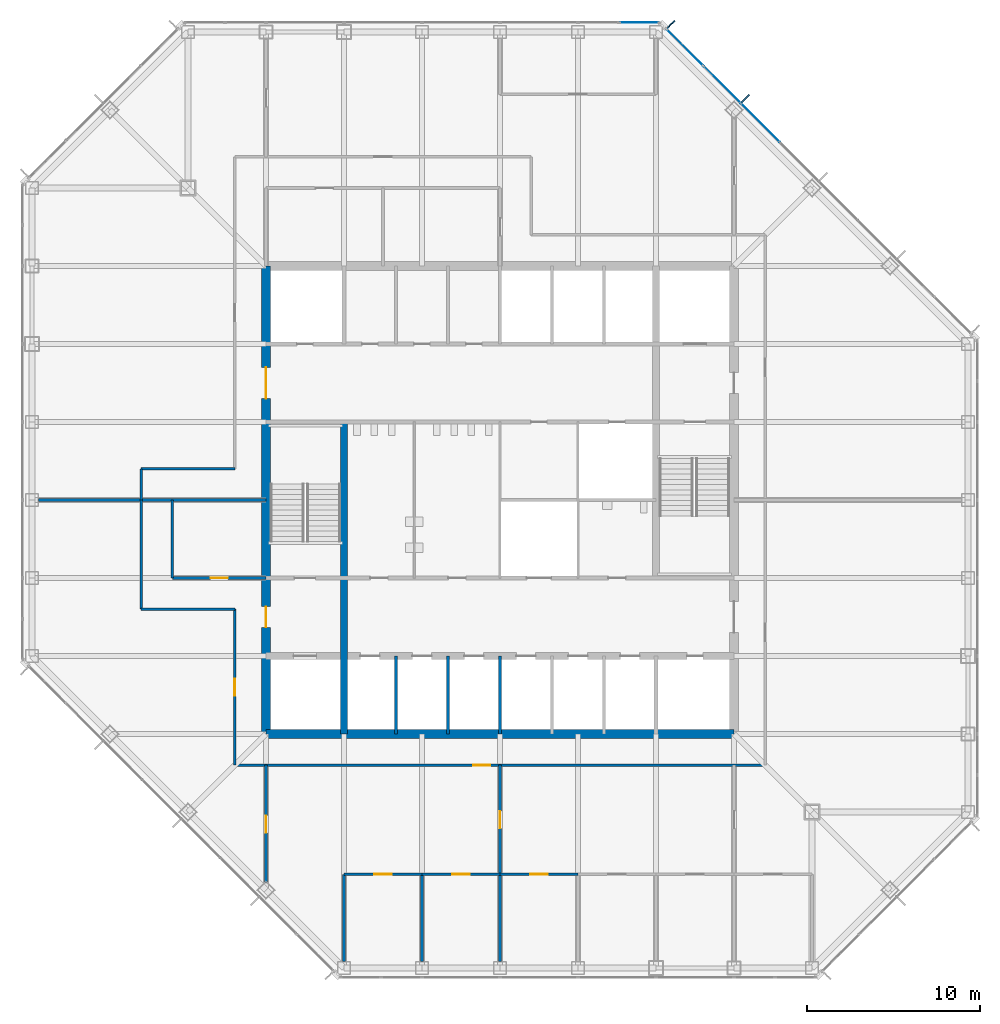
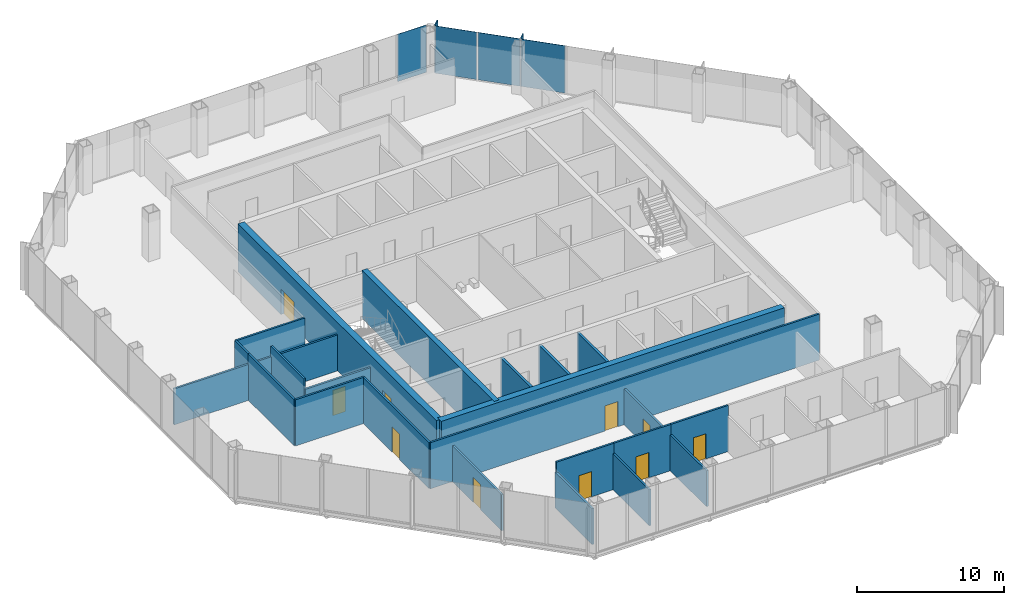
# One storey, part 8 of 12: 23 walls, 10 doors, 6 plates, 10 openings, 2 elements without a shape of their own.
"""IFC4 building model written with IfcOpenShell, lengths in metres."""

import ifcopenshell
import ifcopenshell.guid

model = None  # the IFC model being written
_history = None  # IfcOwnerHistory: only IFC2X3 demands one
_inside = {}  # id of a spatial element -> (the spatial element, [elements in it])
_under = {}  # id of a project, library or spatial element -> (it, [spatial elements below it])
_declared = {}  # id of a project -> (the project, [libraries it declares])
_typed = {}  # id of a type object -> (the type object, [elements of that type])
_made_of = {}  # id of a material, layer set ... -> (it, [elements and type objects made of it])


def new_model(schema):
    """Start an empty IFC model of exactly this schema.

    Asked for "IFC4X3", IfcOpenShell would pick the latest addendum, in which some entities
    have other attributes; the version numbers below select the first issue.
    IFC2X3 requires an IfcOwnerHistory on every rooted entity: one is made here for all.
    """
    global model, _history
    if schema == "IFC4X3":
        model = ifcopenshell.file(schema_version=(4, 3, 0, 0))
    else:
        model = ifcopenshell.file(schema=schema)
    _inside.clear()
    _under.clear()
    _declared.clear()
    _typed.clear()
    _made_of.clear()
    _history = None
    if model.schema == "IFC2X3":
        org = make("IfcOrganization", Name="unknown")
        user = make(
            "IfcPersonAndOrganization",
            ThePerson=make("IfcPerson", FamilyName="unknown"),
            TheOrganization=org,
        )
        app = make(
            "IfcApplication",
            ApplicationDeveloper=org,
            Version="unknown",
            ApplicationFullName="unknown",
            ApplicationIdentifier="unknown",
        )
        _history = make(
            "IfcOwnerHistory",
            OwningUser=user,
            OwningApplication=app,
            ChangeAction="ADDED",
            CreationDate=0,
        )
    return model


def make(cls, **values):
    """One entity of the class cls with the attributes given. An attribute that is None is left unset."""
    return model.create_entity(
        cls, **{name: value for name, value in values.items() if value is not None}
    )


def rooted(cls, **values):
    """An entity with a GlobalId (a new one), such as an element, a storey or a relation."""
    return make(cls, GlobalId=ifcopenshell.guid.new(), OwnerHistory=_history, **values)


def si_unit(unit_type, name, prefix=None):
    """IfcSIUnit, for example si_unit("LENGTHUNIT", "METRE", prefix="MILLI")."""
    return make("IfcSIUnit", UnitType=unit_type, Prefix=prefix, Name=name)


def assignment(units):
    """IfcUnitAssignment: the units of a project."""
    return None if units is None else make("IfcUnitAssignment", Units=units)


def point(xyz):
    """IfcCartesianPoint."""
    return None if xyz is None else make("IfcCartesianPoint", Coordinates=xyz)


def direction(xyz):
    """IfcDirection."""
    return None if xyz is None else make("IfcDirection", DirectionRatios=xyz)


def frame(location, z_axis=None, x_axis=None):
    """IfcAxis2Placement3D, a coordinate frame: its origin and axes. An axis left out is left unset."""
    return make(
        "IfcAxis2Placement3D",
        Location=point(location),
        Axis=direction(z_axis),
        RefDirection=direction(x_axis),
    )


def frame_2d(location, x_axis=None):
    """IfcAxis2Placement2D, a coordinate frame in the plane: its origin and x axis."""
    return make(
        "IfcAxis2Placement2D", Location=point(location), RefDirection=direction(x_axis)
    )


def origin():
    """The frame at (0, 0, 0) with its axes left unset."""
    return frame((0.0, 0.0, 0.0))


def origin_2d():
    """The frame at (0, 0) in the plane with its x axis left unset."""
    return frame_2d((0.0, 0.0))


def place(relative_to, where):
    """IfcLocalPlacement: puts the frame where relative to a parent placement (None: the world)."""
    return make(
        "IfcLocalPlacement", PlacementRelTo=relative_to, RelativePlacement=where
    )


def context(
    kind, dimensions, precision=None, world=None, true_north=None, identifier=None
):
    """IfcGeometricRepresentationContext, for example the 3D "Model" context."""
    return make(
        "IfcGeometricRepresentationContext",
        ContextIdentifier=identifier,
        ContextType=kind,
        CoordinateSpaceDimension=dimensions,
        Precision=precision,
        WorldCoordinateSystem=world,
        TrueNorth=true_north,
    )


def subcontext(parent, identifier, kind, view, scale=None):
    """IfcGeometricRepresentationSubContext, for example "Body" below "Model"."""
    return make(
        "IfcGeometricRepresentationSubContext",
        ContextIdentifier=identifier,
        ContextType=kind,
        ParentContext=parent,
        TargetScale=scale,
        TargetView=view,
    )


def project(units=None, contexts=None):
    """IfcProject with its units and contexts."""
    return rooted(
        "IfcProject",
        Name="project",
        RepresentationContexts=contexts,
        UnitsInContext=assignment(units),
    )


def spatial(cls, under=None, at=None, **own):
    """A site, building, storey or space (cls), placed at a placement, below another one or the project."""
    s = rooted(cls, ObjectPlacement=at, **own)
    if under is not None:
        _under.setdefault(under.id(), (under, []))[1].append(s)
    return s


def profile(cls, at=None, kind="AREA", **sizes):
    """A parametric profile (cls). Its sizes go by their IFC names, for example OverallWidth=200.0."""
    return make(cls, ProfileType=kind, Position=at, **sizes)


def rectangle(**sizes):
    """IfcRectangleProfileDef."""
    return profile("IfcRectangleProfileDef", **sizes)


def extrude(swept, where, along, depth):
    """IfcExtrudedAreaSolid: the profile swept, set in the frame where, extruded along a direction by depth."""
    return make(
        "IfcExtrudedAreaSolid",
        SweptArea=swept,
        Position=where,
        ExtrudedDirection=direction(along),
        Depth=depth,
    )


def shape(context_of_items, identifier, shape_type, items):
    """IfcShapeRepresentation: the items that make up one representation, for example the "Body"."""
    return make(
        "IfcShapeRepresentation",
        ContextOfItems=context_of_items,
        RepresentationIdentifier=identifier,
        RepresentationType=shape_type,
        Items=items,
    )


def material(Name=None, Category=None):
    """IfcMaterial."""
    return make("IfcMaterial", Name=Name, Category=Category)


def layer(
    of_material, thickness, ventilated=None, Name=None, Category=None, Priority=None
):
    """IfcMaterialLayer: one layer of a wall or slab, of a material (None: an air gap)."""
    return make(
        "IfcMaterialLayer",
        Material=of_material,
        LayerThickness=thickness,
        IsVentilated=ventilated,
        Name=Name,
        Category=Category,
        Priority=Priority,
    )


def layer_set(layers, Name=None):
    """IfcMaterialLayerSet."""
    return make("IfcMaterialLayerSet", MaterialLayers=layers, LayerSetName=Name)


def made_of(thing, what):
    """Note that an element or type object is made of a material, layer set ...; save() writes the relation."""
    if what is not None:
        _made_of.setdefault(what.id(), (what, []))[1].append(thing)
    return thing


def type_object(cls, material=None, **own):
    """A type object (cls), such as IfcWallType, which elements share."""
    return made_of(rooted(cls, **own), material)


def element(
    cls,
    number,
    at=None,
    inside=None,
    cuts=None,
    type_object=None,
    material=None,
    context=None,
    identifier="Body",
    shape_type=None,
    held_by="IfcProductDefinitionShape",
    body=None,
    shapes=None,
    **own,
):
    """One element of the class cls, such as IfcWall. Its Tag is "e" and its number.

    at: its placement. inside: the storey or other place that contains it. cuts: it is an
    opening in that element (IfcRelVoidsElement). A single representation is given by context,
    identifier, shape_type and body (its items); several are given by shapes. held_by: the class
    of the entity that holds the representations. save() writes the other relations.
    """
    e = rooted(cls, Tag="e%d" % number, ObjectPlacement=at, **own)
    if body is not None:
        shapes = [shape(context, identifier, shape_type, body)]
    if shapes is not None:
        e.Representation = make(held_by, Representations=shapes)
    if inside is not None:
        _inside.setdefault(inside.id(), (inside, []))[1].append(e)
    if cuts is not None:
        rooted(
            "IfcRelVoidsElement", RelatingBuildingElement=cuts, RelatedOpeningElement=e
        )
    if type_object is not None:
        _typed.setdefault(type_object.id(), (type_object, []))[1].append(e)
    return made_of(e, material)


def fill(opening, filler):
    """IfcRelFillsElement: the door or window that sits in an opening."""
    return rooted(
        "IfcRelFillsElement",
        RelatingOpeningElement=opening,
        RelatedBuildingElement=filler,
    )


def aggregate(whole, parts):
    """IfcRelAggregates: a whole, such as a stair, and the parts it consists of."""
    return rooted("IfcRelAggregates", RelatingObject=whole, RelatedObjects=parts)


def save(model, path):
    """Write the relations noted so far, then the file.

    IfcRelAggregates (storeys below a building ...), IfcRelContainedInSpatialStructure (elements
    in a storey), IfcRelDefinesByType, IfcRelAssociatesMaterial and IfcRelDeclares: one each for
    every whole, place, type object, material and project.
    """
    for whole, parts in _under.values():
        aggregate(whole, parts)
    for where, things in _inside.values():
        rooted(
            "IfcRelContainedInSpatialStructure",
            RelatedElements=things,
            RelatingStructure=where,
        )
    for kind, things in _typed.values():
        rooted("IfcRelDefinesByType", RelatedObjects=things, RelatingType=kind)
    for what, things in _made_of.values():
        rooted("IfcRelAssociatesMaterial", RelatedObjects=things, RelatingMaterial=what)
    for by, libraries in _declared.values():
        rooted("IfcRelDeclares", RelatingContext=by, RelatedDefinitions=libraries)
    model.write(path)


model = new_model("IFC4")

# Units and contexts
model_context = context("Model", 3, precision=1e-05, world=origin(), true_north=direction((0.0, 1.0)))
body_context = subcontext(model_context, "Body", "Model", "MODEL_VIEW")
ifc_project = project(units=[si_unit("LENGTHUNIT", "METRE"), si_unit("AREAUNIT", "SQUARE_METRE"), si_unit("VOLUMEUNIT", "CUBIC_METRE"), si_unit("PLANEANGLEUNIT", "RADIAN"), si_unit("MASSUNIT", "GRAM", prefix="KILO")], contexts=[model_context])

# Site, building, storey
site_placement = place(None, origin())
site = spatial("IfcSite", under=ifc_project, at=site_placement, CompositionType="ELEMENT")
building_placement = place(site_placement, origin())
building = spatial("IfcBuilding", under=site, at=building_placement, Name="Corais Broadcast Tower", CompositionType="ELEMENT")
storey_placement = place(building_placement, frame((0.0, 0.0, 143.60009765625)))
storey = spatial("IfcBuildingStorey", under=building, at=storey_placement, Name="L32", CompositionType="ELEMENT", Elevation=143.60009765625)

# Curtain wall, plates
ifc_material_1 = material(Name="Aluminium and glass", Category="aluminium")
curtain_wall_type = type_object("IfcCurtainWallType", Name="Unitised fritted curtain wall CW2", PredefinedType="NOTDEFINED", material=ifc_material_1)
curtain_wall_1_placement = place(storey_placement, origin())
curtain_wall_1 = element("IfcCurtainWall", 1, at=curtain_wall_1_placement, inside=storey, type_object=curtain_wall_type, Name="CW2 curtain wall L32 5", PredefinedType="NOTDEFINED")
ifc_material_2 = material(Name="Ceramic-fritted laminated glass", Category="glass")
ifc_layer_1 = layer(ifc_material_2, 0.028076171875)
ifc_layer_set_1 = layer_set([ifc_layer_1], Name="Ceramic-fritted laminated glass")
plate_type_1 = type_object("IfcPlateType", Name="Fritted glass panel CW2", PredefinedType="CURTAIN_PANEL", material=ifc_layer_set_1)
plate_1_placement = place(storey_placement, frame((37.669677734375, 53.108154296875, 0.06494140625), z_axis=(0.0, 0.0, 1.0), x_axis=(0.707106781187, -0.707106781187, 0.0)))
plate_1 = element("IfcPlate", 2, at=plate_1_placement, type_object=plate_type_1, Name="CW2 panel 1", PredefinedType="CURTAIN_PANEL", context=body_context, shape_type="SweptSolid", body=[
    extrude(rectangle(XDim=2.9482421875, YDim=0.028076171875, at=origin_2d()), origin(), (0.0, 0.0, 1.0), 3.93505859375),
])
plate_2_placement = place(storey_placement, frame((42.013916015625, 48.763916015625, 0.06494140625), z_axis=(0.0, 0.0, 1.0), x_axis=(0.707106781187, -0.707106781187, 0.0)))
plate_2 = element("IfcPlate", 3, at=plate_2_placement, type_object=plate_type_1, Name="CW2 panel 3", PredefinedType="CURTAIN_PANEL", context=body_context, shape_type="SweptSolid", body=[
    extrude(rectangle(XDim=3.116943359375, YDim=0.028076171875, at=origin_2d()), origin(), (0.0, 0.0, 1.0), 3.93505859375),
])

# Curtain wall, plate
curtain_wall_2_placement = place(storey_placement, origin())
curtain_wall_2 = element("IfcCurtainWall", 4, at=curtain_wall_2_placement, inside=storey, type_object=curtain_wall_type, Name="CW2 curtain wall L32 4", PredefinedType="NOTDEFINED")
ifc_material_3 = material(Name="Clear laminated glass", Category="glass")
ifc_layer_2 = layer(ifc_material_3, 0.031982421875)
ifc_layer_set_2 = layer_set([ifc_layer_2], Name="Clear laminated glass")
plate_type_2 = type_object("IfcPlateType", Name="Operable glass panel CW2", PredefinedType="CURTAIN_PANEL", material=ifc_layer_set_2)
plate_3_placement = place(storey_placement, frame((35.029541015625, 54.550048828125, 0.06494140625), z_axis=(0.0, 0.0, 1.0), x_axis=(1.0, 0.0, 0.0)))
plate_3 = element("IfcPlate", 5, at=plate_3_placement, type_object=plate_type_2, Name="CW2 operable panel 8", PredefinedType="CURTAIN_PANEL", context=body_context, shape_type="SweptSolid", body=[
    extrude(rectangle(XDim=2.266357421875, YDim=0.031982421875, at=origin_2d()), origin(), (0.0, 0.0, 1.0), 3.93505859375),
])
aggregate(curtain_wall_2, [plate_3])

# Plate
plate_4_placement = place(storey_placement, frame((39.81201171875, 50.9658203125, 0.06494140625), z_axis=(0.0, 0.0, 1.0), x_axis=(0.707106781187, -0.707106781187, 0.0)))
plate_4 = element("IfcPlate", 6, at=plate_4_placement, type_object=plate_type_2, Name="CW2 operable panel 2", PredefinedType="CURTAIN_PANEL", context=body_context, shape_type="SweptSolid", body=[
    extrude(rectangle(XDim=2.98095703125, YDim=0.031982421875, at=origin_2d()), origin(), (0.0, 0.0, 1.0), 3.93505859375),
])

aggregate(curtain_wall_1, [plate_1, plate_4, plate_2])

# Plates
ifc_material_4 = material(Name="Granite stone cladding", Category="masonry")
ifc_layer_3 = layer(ifc_material_4, 0.080078125)
ifc_layer_set_3 = layer_set([ifc_layer_3], Name="Granite stone cladding")
plate_type_3 = type_object("IfcPlateType", Name="Stone screen fin 80x600", PredefinedType="USERDEFINED", material=ifc_layer_set_3)
for number, where, z_axis, x_axis, name in (
    (7, (36.8779296875, 54.447021484375, 0.0), (0.0, 0.0, 1.0), (0.707106781187, -0.707106781187, 0.0), "SF1 stone screen fin L32"),
    (8, (41.16259765625, 50.16259765625, 0.0), (0.0, 0.0, 1.0), (0.707106781187, -0.707106781187, 0.0), "SF1 stone screen fin L32"),
):
    element("IfcPlate", number, at=place(storey_placement, frame(where, z_axis=z_axis, x_axis=x_axis)), inside=storey, type_object=plate_type_3, Name=name, ObjectType="STONE SCREEN FIN", PredefinedType="USERDEFINED", context=body_context, shape_type="SweptSolid", body=[
        extrude(rectangle(XDim=0.080078125, YDim=0.60009765625, at=origin_2d()), origin(), (0.0, 0.0, 1.0), 4.0),
    ])

# Walls
ifc_material_5 = material(Name="Concrete C50/60", Category="concrete")
ifc_layer_4 = layer(ifc_material_5, 0.39990234375)
ifc_layer_set_4 = layer_set([ifc_layer_4], Name="Concrete C50/60")
wall_type_1 = type_object("IfcWallType", Name="Core wall 400", PredefinedType="SHEAR", material=ifc_layer_set_4)
wall_1_placement = place(storey_placement, frame((18.0, 13.5, 0.0), z_axis=(0.0, 0.0, 1.0), x_axis=(0.0, 1.0, 0.0)))
element("IfcWall", 9, at=wall_1_placement, inside=storey, type_object=wall_type_1, Name="CR400 core wall X18A L32", PredefinedType="SHEAR", context=body_context, shape_type="SweptSolid", body=[
    extrude(rectangle(XDim=18.0, YDim=0.39990234375, at=frame_2d((9.0, 0.0))), origin(), (0.0, 0.0, 1.0), 4.0),
])
ifc_material_6 = material(Name="Concrete C50/60", Category="concrete")
ifc_layer_5 = layer(ifc_material_6, 0.5)
ifc_layer_set_5 = layer_set([ifc_layer_5], Name="Concrete C50/60")
wall_type_2 = type_object("IfcWallType", Name="Core wall 500", PredefinedType="SHEAR", material=ifc_layer_set_5)
wall_2_placement = place(storey_placement, frame((13.5, 13.5, 0.0), z_axis=(0.0, 0.0, 1.0), x_axis=(1.0, 0.0, 0.0)))
element("IfcWall", 10, at=wall_2_placement, inside=storey, type_object=wall_type_2, Name="CR500 core wall S L32", PredefinedType="SHEAR", context=body_context, shape_type="SweptSolid", body=[
    extrude(rectangle(XDim=27.0, YDim=0.5, at=frame_2d((13.5, 0.0))), origin(), (0.0, 0.0, 1.0), 4.0),
])

# Wall, openings, doors
wall_3_placement = place(storey_placement, frame((13.5, 40.5, 0.0), z_axis=(0.0, 0.0, 1.0), x_axis=(0.0, -1.0, 0.0)))
wall_3 = element("IfcWall", 11, at=wall_3_placement, inside=storey, type_object=wall_type_2, Name="CR500 core wall W L32", PredefinedType="SHEAR", context=body_context, shape_type="SweptSolid", body=[
    extrude(rectangle(XDim=27.0, YDim=0.5, at=frame_2d((13.5, 0.0))), origin(), (0.0, 0.0, 1.0), 4.0),
])
opening_1_placement = place(wall_3_placement, frame((19.64990234375, 0.0, 0.0)))
opening_1 = element("IfcOpeningElement", 12, at=opening_1_placement, cuts=wall_3, Name="Opening FD1", PredefinedType="OPENING", context=body_context, shape_type="SweptSolid", body=[
    extrude(rectangle(XDim=1.199951171875, YDim=2.10009765625, at=frame_2d((0.60009765625, 1.050048828125))), frame((0.0, 0.260009765625, 0.0), z_axis=(0.0, -1.0, 0.0), x_axis=(1.0, 0.0, 0.0)), (0.0, 0.0, 1.0), 0.52001953125),
])
opening_2_placement = place(wall_3_placement, frame((5.85009765625, 0.0, 0.0)))
opening_2 = element("IfcOpeningElement", 13, at=opening_2_placement, cuts=wall_3, Name="Opening FD2", PredefinedType="OPENING", context=body_context, shape_type="SweptSolid", body=[
    extrude(rectangle(XDim=1.800048828125, YDim=2.10009765625, at=frame_2d((0.89990234375, 1.050048828125))), frame((0.0, 0.260009765625, 0.0), z_axis=(0.0, -1.0, 0.0), x_axis=(1.0, 0.0, 0.0)), (0.0, 0.0, 1.0), 0.52001953125),
])
ifc_material_7 = material(Name="Steel fire door", Category="steel")
door_type_1 = type_object("IfcDoorType", Name="Fire door 1200x2100", OperationType="SINGLE_SWING_LEFT", PredefinedType="DOOR", material=ifc_material_7)
door_1_placement = place(opening_1_placement, origin())
door_1 = element("IfcDoor", 14, at=door_1_placement, inside=storey, type_object=door_type_1, Name="FD1 fire lobby A door L32", OperationType="SINGLE_SWING_RIGHT", OverallHeight=2.10009765625, OverallWidth=1.199951171875, PredefinedType="DOOR", context=body_context, shape_type="SweptSolid", body=[
    extrude(rectangle(XDim=1.199951171875, YDim=2.10009765625, at=frame_2d((0.60009765625, 1.050048828125))), frame((0.0, 0.02490234375, 0.0), z_axis=(0.0, -1.0, 0.0), x_axis=(1.0, 0.0, 0.0)), (0.0, 0.0, 1.0), 0.050048828125),
])
fill(opening_1, door_1)
ifc_material_8 = material(Name="Steel fire door", Category="steel")
door_type_2 = type_object("IfcDoorType", Name="Fire door pair 1800x2100", OperationType="DOUBLE_DOOR_SINGLE_SWING", PredefinedType="DOOR", material=ifc_material_8)
door_2_placement = place(opening_2_placement, origin())
door_2 = element("IfcDoor", 15, at=door_2_placement, inside=storey, type_object=door_type_2, Name="FD2 lift lobby door L32", OperationType="SINGLE_SWING_LEFT", OverallHeight=2.10009765625, OverallWidth=1.800048828125, PredefinedType="DOOR", context=body_context, shape_type="SweptSolid", body=[
    extrude(rectangle(XDim=1.800048828125, YDim=2.10009765625, at=frame_2d((0.89990234375, 1.050048828125))), frame((0.0, 0.02490234375, 0.0), z_axis=(0.0, -1.0, 0.0), x_axis=(1.0, 0.0, 0.0)), (0.0, 0.0, 1.0), 0.050048828125),
])
fill(opening_2, door_2)

# Walls
ifc_material_9 = material(Name="Two layers of fire-rated gypsum board each side on steel studs", Category="steel")
ifc_layer_6 = layer(ifc_material_9, 0.14990234375)
ifc_layer_set_6 = layer_set([ifc_layer_6], Name="Two layers of fire-rated gypsum board each side on steel studs")
wall_type_3 = type_object("IfcWallType", Name="Fire-rated partition 150 EI 60", PredefinedType="PARTITIONING", material=ifc_layer_set_6)
wall_4_placement = place(storey_placement, frame((0.385009765625, 27.0, 0.0), z_axis=(0.0, 0.0, 1.0), x_axis=(1.0, 0.0, 0.0)))
element("IfcWall", 16, at=wall_4_placement, inside=storey, type_object=wall_type_3, Name="IW7 tenancy wall L32", PredefinedType="PARTITIONING", context=body_context, shape_type="SweptSolid", body=[
    extrude(rectangle(XDim=13.114990234375, YDim=0.14990234375, at=frame_2d((6.5576171875, 0.0))), origin(), (0.0, 0.0, 1.0), 2.989013671875),
])
ifc_material_10 = material(Name="Gypsum board on steel studs", Category="steel")
ifc_layer_7 = layer(ifc_material_10, 0.14990234375)
ifc_layer_set_7 = layer_set([ifc_layer_7], Name="Gypsum board on steel studs")
wall_type_4 = type_object("IfcWallType", Name="Partition 150", PredefinedType="PARTITIONING", material=ifc_layer_set_7)
wall_5_placement = place(storey_placement, frame((11.699951171875, 28.800048828125, 0.0), z_axis=(0.0, 0.0, 1.0), x_axis=(-1.0, 0.0, 0.0)))
element("IfcWall", 17, at=wall_5_placement, inside=storey, type_object=wall_type_4, Name="IW3 corridor wall L32", PredefinedType="PARTITIONING", context=body_context, shape_type="SweptSolid", body=[
    extrude(rectangle(XDim=5.39990234375, YDim=0.14990234375, at=frame_2d((2.699951171875, 0.0))), origin(), (0.0, 0.0, 1.0), 3.83984375),
])
wall_6_placement = place(storey_placement, frame((6.300048828125, 28.800048828125, 0.0), z_axis=(0.0, 0.0, 1.0), x_axis=(0.0, -1.0, 0.0)))
element("IfcWall", 18, at=wall_6_placement, inside=storey, type_object=wall_type_4, Name="IW3 corridor wall L32", PredefinedType="PARTITIONING", context=body_context, shape_type="SweptSolid", body=[
    extrude(rectangle(XDim=1.799560546875, YDim=0.14990234375, at=frame_2d((0.89990234375, 0.0))), origin(), (0.0, 0.0, 1.0), 3.83984375),
])

# Wall, opening, door
wall_7_placement = place(storey_placement, frame((11.699951171875, 11.699951171875, 0.0), z_axis=(0.0, 0.0, 1.0), x_axis=(1.0, 0.0, 0.0)))
wall_7 = element("IfcWall", 19, at=wall_7_placement, inside=storey, type_object=wall_type_4, Name="IW3 corridor wall L32", PredefinedType="PARTITIONING", context=body_context, shape_type="SweptSolid", body=[
    extrude(rectangle(XDim=30.60009765625, YDim=0.14990234375, at=frame_2d((15.300048828125, 0.0))), origin(), (0.0, 0.0, 1.0), 3.83984375),
])
opening_3_placement = place(wall_7_placement, frame((13.75, 0.0, 0.0)))
opening_3 = element("IfcOpeningElement", 20, at=opening_3_placement, cuts=wall_7, Name="Opening D1", PredefinedType="OPENING", context=body_context, shape_type="SweptSolid", body=[
    extrude(rectangle(XDim=1.0, YDim=2.10009765625, at=frame_2d((0.5, 1.050048828125))), frame((0.0, 0.0849609375, 0.0), z_axis=(0.0, -1.0, 0.0), x_axis=(1.0, 0.0, 0.0)), (0.0, 0.0, 1.0), 0.169921875),
])
ifc_material_11 = material(Name="Timber door", Category="wood")
door_type_3 = type_object("IfcDoorType", Name="Single door 1000x2100", OperationType="SINGLE_SWING_LEFT", PredefinedType="DOOR", material=ifc_material_11)
door_3_placement = place(opening_3_placement, origin())
door_3 = element("IfcDoor", 21, at=door_3_placement, inside=storey, type_object=door_type_3, Name="D1 workplace door L32", OperationType="SINGLE_SWING_LEFT", OverallHeight=2.10009765625, OverallWidth=1.0, PredefinedType="DOOR", context=body_context, shape_type="SweptSolid", body=[
    extrude(rectangle(XDim=1.0, YDim=2.10009765625, at=frame_2d((0.5, 1.050048828125))), frame((0.0, 0.02490234375, 0.0), z_axis=(0.0, -1.0, 0.0), x_axis=(1.0, 0.0, 0.0)), (0.0, 0.0, 1.0), 0.050048828125),
])
fill(opening_3, door_3)

wall_8_placement = place(storey_placement, frame((11.699951171875, 20.699951171875, 0.0), z_axis=(0.0, 0.0, 1.0), x_axis=(0.0, -1.0, 0.0)))
wall_8 = element("IfcWall", 22, at=wall_8_placement, inside=storey, type_object=wall_type_4, Name="IW3 corridor wall L32", PredefinedType="PARTITIONING", context=body_context, shape_type="SweptSolid", body=[
    extrude(rectangle(XDim=9.0, YDim=0.14990234375, at=frame_2d((4.5, 0.0))), origin(), (0.0, 0.0, 1.0), 3.83984375),
])
opening_4_placement = place(wall_8_placement, frame((4.0, 0.0, 0.0)))
opening_4 = element("IfcOpeningElement", 23, at=opening_4_placement, cuts=wall_8, Name="Opening D1", PredefinedType="OPENING", context=body_context, shape_type="SweptSolid", body=[
    extrude(rectangle(XDim=1.0, YDim=2.10009765625, at=frame_2d((0.5, 1.050048828125))), frame((0.0, 0.0849609375, 0.0), z_axis=(0.0, -1.0, 0.0), x_axis=(1.0, 0.0, 0.0)), (0.0, 0.0, 1.0), 0.169921875),
])
door_4_placement = place(opening_4_placement, origin())
door_4 = element("IfcDoor", 24, at=door_4_placement, inside=storey, type_object=door_type_3, Name="D1 workplace door L32", OperationType="SINGLE_SWING_LEFT", OverallHeight=2.10009765625, OverallWidth=1.0, PredefinedType="DOOR", context=body_context, shape_type="SweptSolid", body=[
    extrude(rectangle(XDim=1.0, YDim=2.10009765625, at=frame_2d((0.5, 1.050048828125))), frame((0.0, 0.02490234375, 0.0), z_axis=(0.0, -1.0, 0.0), x_axis=(1.0, 0.0, 0.0)), (0.0, 0.0, 1.0), 0.050048828125),
])
fill(opening_4, door_4)

# Walls
wall_9_placement = place(storey_placement, frame((6.300048828125, 26.99951171875, 0.0), z_axis=(0.0, 0.0, 1.0), x_axis=(0.0, -1.0, 0.0)))
element("IfcWall", 25, at=wall_9_placement, inside=storey, type_object=wall_type_4, Name="IW3 corridor wall L32", PredefinedType="PARTITIONING", context=body_context, shape_type="SweptSolid", body=[
    extrude(rectangle(XDim=6.299560546875, YDim=0.14990234375, at=frame_2d((3.14990234375, 0.0))), origin(), (0.0, 0.0, 1.0), 3.83984375),
])
wall_10_placement = place(storey_placement, frame((6.300048828125, 20.699951171875, 0.0), z_axis=(0.0, 0.0, 1.0), x_axis=(1.0, 0.0, 0.0)))
element("IfcWall", 26, at=wall_10_placement, inside=storey, type_object=wall_type_4, Name="IW3 corridor wall L32", PredefinedType="PARTITIONING", context=body_context, shape_type="SweptSolid", body=[
    extrude(rectangle(XDim=5.39990234375, YDim=0.14990234375, at=frame_2d((2.699951171875, 0.0))), origin(), (0.0, 0.0, 1.0), 3.83984375),
])
wall_11_placement = place(storey_placement, frame((22.5, 0.385009765625, 0.0), z_axis=(0.0, 0.0, 1.0), x_axis=(0.0, 1.0, 0.0)))
element("IfcWall", 27, at=wall_11_placement, inside=storey, type_object=wall_type_4, Name="IW3 partition L32", PredefinedType="PARTITIONING", context=body_context, shape_type="SweptSolid", body=[
    extrude(rectangle(XDim=5.014892578125, YDim=0.14990234375, at=frame_2d((2.50732421875, 0.0))), origin(), (0.0, 0.0, 1.0), 2.989013671875),
])

# Wall, opening, door
wall_12_placement = place(storey_placement, frame((22.5, 5.39990234375, 0.0), z_axis=(0.0, 0.0, 1.0), x_axis=(-1.0, 0.0, 0.0)))
wall_12 = element("IfcWall", 28, at=wall_12_placement, inside=storey, type_object=wall_type_4, Name="IW3 partition L32", PredefinedType="PARTITIONING", context=body_context, shape_type="SweptSolid", body=[
    extrude(rectangle(XDim=4.5, YDim=0.14990234375, at=frame_2d((2.25, 0.0))), origin(), (0.0, 0.0, 1.0), 3.83984375),
])
opening_5_placement = place(wall_12_placement, frame((1.75, 0.0, 0.0)))
opening_5 = element("IfcOpeningElement", 29, at=opening_5_placement, cuts=wall_12, Name="Opening D1", PredefinedType="OPENING", context=body_context, shape_type="SweptSolid", body=[
    extrude(rectangle(XDim=1.0, YDim=2.10009765625, at=frame_2d((0.5, 1.050048828125))), frame((0.0, 0.0849609375, 0.0), z_axis=(0.0, -1.0, 0.0), x_axis=(1.0, 0.0, 0.0)), (0.0, 0.0, 1.0), 0.169921875),
])
door_5_placement = place(opening_5_placement, origin())
door_5 = element("IfcDoor", 30, at=door_5_placement, inside=storey, type_object=door_type_3, Name="D1 Office door", OperationType="SINGLE_SWING_LEFT", OverallHeight=2.10009765625, OverallWidth=1.0, PredefinedType="DOOR", context=body_context, shape_type="SweptSolid", body=[
    extrude(rectangle(XDim=1.0, YDim=2.10009765625, at=frame_2d((0.5, 1.050048828125))), frame((0.0, 0.02490234375, 0.0), z_axis=(0.0, -1.0, 0.0), x_axis=(1.0, 0.0, 0.0)), (0.0, 0.0, 1.0), 0.050048828125),
])
fill(opening_5, door_5)

# Walls
for number, where, z_axis, x_axis, name in (
    (31, (18.0, 5.39990234375, 0.0), (0.0, 0.0, 1.0), (0.0, -1.0, 0.0), "IW3 partition L32"),
    (32, (27.0, 0.385009765625, 0.0), (0.0, 0.0, 1.0), (0.0, 1.0, 0.0), "IW3 partition L32"),
):
    element("IfcWall", number, at=place(storey_placement, frame(where, z_axis=z_axis, x_axis=x_axis)), inside=storey, type_object=wall_type_4, Name=name, PredefinedType="PARTITIONING", context=body_context, shape_type="SweptSolid", body=[
        extrude(rectangle(XDim=5.014892578125, YDim=0.14990234375, at=frame_2d((2.50732421875, 0.0))), origin(), (0.0, 0.0, 1.0), 2.989013671875),
    ])

# Wall, opening, door
wall_13_placement = place(storey_placement, frame((27.0, 5.39990234375, 0.0), z_axis=(0.0, 0.0, 1.0), x_axis=(-1.0, 0.0, 0.0)))
wall_13 = element("IfcWall", 33, at=wall_13_placement, inside=storey, type_object=wall_type_4, Name="IW3 partition L32", PredefinedType="PARTITIONING", context=body_context, shape_type="SweptSolid", body=[
    extrude(rectangle(XDim=4.5, YDim=0.14990234375, at=frame_2d((2.25, 0.0))), origin(), (0.0, 0.0, 1.0), 3.83984375),
])
opening_6_placement = place(wall_13_placement, frame((1.75, 0.0, 0.0)))
opening_6 = element("IfcOpeningElement", 34, at=opening_6_placement, cuts=wall_13, Name="Opening D1", PredefinedType="OPENING", context=body_context, shape_type="SweptSolid", body=[
    extrude(rectangle(XDim=1.0, YDim=2.10009765625, at=frame_2d((0.5, 1.050048828125))), frame((0.0, 0.0849609375, 0.0), z_axis=(0.0, -1.0, 0.0), x_axis=(1.0, 0.0, 0.0)), (0.0, 0.0, 1.0), 0.169921875),
])
door_6_placement = place(opening_6_placement, origin())
door_6 = element("IfcDoor", 35, at=door_6_placement, inside=storey, type_object=door_type_3, Name="D1 Office door", OperationType="SINGLE_SWING_LEFT", OverallHeight=2.10009765625, OverallWidth=1.0, PredefinedType="DOOR", context=body_context, shape_type="SweptSolid", body=[
    extrude(rectangle(XDim=1.0, YDim=2.10009765625, at=frame_2d((0.5, 1.050048828125))), frame((0.0, 0.02490234375, 0.0), z_axis=(0.0, -1.0, 0.0), x_axis=(1.0, 0.0, 0.0)), (0.0, 0.0, 1.0), 0.050048828125),
])
fill(opening_6, door_6)

wall_14_placement = place(storey_placement, frame((31.5, 5.39990234375, 0.0), z_axis=(0.0, 0.0, 1.0), x_axis=(-1.0, 0.0, 0.0)))
wall_14 = element("IfcWall", 36, at=wall_14_placement, inside=storey, type_object=wall_type_4, Name="IW3 partition L32", PredefinedType="PARTITIONING", context=body_context, shape_type="SweptSolid", body=[
    extrude(rectangle(XDim=4.5, YDim=0.14990234375, at=frame_2d((2.25, 0.0))), origin(), (0.0, 0.0, 1.0), 3.83984375),
])
opening_7_placement = place(wall_14_placement, frame((1.75, 0.0, 0.0)))
opening_7 = element("IfcOpeningElement", 37, at=opening_7_placement, cuts=wall_14, Name="Opening D1", PredefinedType="OPENING", context=body_context, shape_type="SweptSolid", body=[
    extrude(rectangle(XDim=1.0, YDim=2.10009765625, at=frame_2d((0.5, 1.050048828125))), frame((0.0, 0.0849609375, 0.0), z_axis=(0.0, -1.0, 0.0), x_axis=(1.0, 0.0, 0.0)), (0.0, 0.0, 1.0), 0.169921875),
])
door_7_placement = place(opening_7_placement, origin())
door_7 = element("IfcDoor", 38, at=door_7_placement, inside=storey, type_object=door_type_3, Name="D1 Office door", OperationType="SINGLE_SWING_LEFT", OverallHeight=2.10009765625, OverallWidth=1.0, PredefinedType="DOOR", context=body_context, shape_type="SweptSolid", body=[
    extrude(rectangle(XDim=1.0, YDim=2.10009765625, at=frame_2d((0.5, 1.050048828125))), frame((0.0, 0.02490234375, 0.0), z_axis=(0.0, -1.0, 0.0), x_axis=(1.0, 0.0, 0.0)), (0.0, 0.0, 1.0), 0.050048828125),
])
fill(opening_7, door_7)

wall_15_placement = place(storey_placement, frame((8.10009765625, 22.5, 0.0), z_axis=(0.0, 0.0, 1.0), x_axis=(1.0, 0.0, 0.0)))
wall_15 = element("IfcWall", 39, at=wall_15_placement, inside=storey, type_object=wall_type_4, Name="IW3 partition L32", PredefinedType="PARTITIONING", context=body_context, shape_type="SweptSolid", body=[
    extrude(rectangle(XDim=5.39990234375, YDim=0.14990234375, at=frame_2d((2.699951171875, 0.0))), origin(), (0.0, 0.0, 1.0), 2.989013671875),
])
opening_8_placement = place(wall_15_placement, frame((2.199951171875, 0.0, 0.0)))
opening_8 = element("IfcOpeningElement", 40, at=opening_8_placement, cuts=wall_15, Name="Opening D1", PredefinedType="OPENING", context=body_context, shape_type="SweptSolid", body=[
    extrude(rectangle(XDim=1.0, YDim=2.10009765625, at=frame_2d((0.5, 1.050048828125))), frame((0.0, 0.0849609375, 0.0), z_axis=(0.0, -1.0, 0.0), x_axis=(1.0, 0.0, 0.0)), (0.0, 0.0, 1.0), 0.169921875),
])
door_8_placement = place(opening_8_placement, origin())
door_8 = element("IfcDoor", 41, at=door_8_placement, inside=storey, type_object=door_type_3, Name="D1 Meeting room door", OperationType="SINGLE_SWING_LEFT", OverallHeight=2.10009765625, OverallWidth=1.0, PredefinedType="DOOR", context=body_context, shape_type="SweptSolid", body=[
    extrude(rectangle(XDim=1.0, YDim=2.10009765625, at=frame_2d((0.5, 1.050048828125))), frame((0.0, 0.02490234375, 0.0), z_axis=(0.0, -1.0, 0.0), x_axis=(1.0, 0.0, 0.0)), (0.0, 0.0, 1.0), 0.050048828125),
])
fill(opening_8, door_8)

# Wall
wall_16_placement = place(storey_placement, frame((8.10009765625, 27.0, 0.0), z_axis=(0.0, 0.0, 1.0), x_axis=(0.0, -1.0, 0.0)))
element("IfcWall", 42, at=wall_16_placement, inside=storey, type_object=wall_type_4, Name="IW3 partition L32", PredefinedType="PARTITIONING", context=body_context, shape_type="SweptSolid", body=[
    extrude(rectangle(XDim=4.5, YDim=0.14990234375, at=frame_2d((2.25, 0.0))), origin(), (0.0, 0.0, 1.0), 3.83984375),
])

# Wall, opening, door
wall_17_placement = place(storey_placement, frame((13.5, 4.89501953125, 0.0), z_axis=(0.0, 0.0, 1.0), x_axis=(0.0, 1.0, 0.0)))
wall_17 = element("IfcWall", 43, at=wall_17_placement, inside=storey, type_object=wall_type_4, Name="IW3 partition L32", PredefinedType="PARTITIONING", context=body_context, shape_type="SweptSolid", body=[
    extrude(rectangle(XDim=6.804931640625, YDim=0.14990234375, at=frame_2d((3.40234375, 0.0))), origin(), (0.0, 0.0, 1.0), 2.989013671875),
])
opening_9_placement = place(wall_17_placement, frame((2.902587890625, 0.0, 0.0)))
opening_9 = element("IfcOpeningElement", 44, at=opening_9_placement, cuts=wall_17, Name="Opening D1", PredefinedType="OPENING", context=body_context, shape_type="SweptSolid", body=[
    extrude(rectangle(XDim=1.0, YDim=2.10009765625, at=frame_2d((0.5, 1.050048828125))), frame((0.0, 0.0849609375, 0.0), z_axis=(0.0, -1.0, 0.0), x_axis=(1.0, 0.0, 0.0)), (0.0, 0.0, 1.0), 0.169921875),
])
door_9_placement = place(opening_9_placement, origin())
door_9 = element("IfcDoor", 45, at=door_9_placement, inside=storey, type_object=door_type_3, Name="D1 team room door L32", OperationType="SINGLE_SWING_LEFT", OverallHeight=2.10009765625, OverallWidth=1.0, PredefinedType="DOOR", context=body_context, shape_type="SweptSolid", body=[
    extrude(rectangle(XDim=1.0, YDim=2.10009765625, at=frame_2d((0.5, 1.050048828125))), frame((0.0, 0.02490234375, 0.0), z_axis=(0.0, -1.0, 0.0), x_axis=(1.0, 0.0, 0.0)), (0.0, 0.0, 1.0), 0.050048828125),
])
fill(opening_9, door_9)

wall_18_placement = place(storey_placement, frame((27.0, 11.699951171875, 0.0), z_axis=(0.0, 0.0, 1.0), x_axis=(0.0, -1.0, 0.0)))
wall_18 = element("IfcWall", 46, at=wall_18_placement, inside=storey, type_object=wall_type_4, Name="IW3 partition L32", PredefinedType="PARTITIONING", context=body_context, shape_type="SweptSolid", body=[
    extrude(rectangle(XDim=6.300048828125, YDim=0.14990234375, at=frame_2d((3.14990234375, 0.0))), origin(), (0.0, 0.0, 1.0), 2.989013671875),
])
opening_10_placement = place(wall_18_placement, frame((2.64990234375, 0.0, 0.0)))
opening_10 = element("IfcOpeningElement", 47, at=opening_10_placement, cuts=wall_18, Name="Opening D1", PredefinedType="OPENING", context=body_context, shape_type="SweptSolid", body=[
    extrude(rectangle(XDim=1.0, YDim=2.10009765625, at=frame_2d((0.5, 1.050048828125))), frame((0.0, 0.0849609375, 0.0), z_axis=(0.0, -1.0, 0.0), x_axis=(1.0, 0.0, 0.0)), (0.0, 0.0, 1.0), 0.169921875),
])
door_10_placement = place(opening_10_placement, origin())
door_10 = element("IfcDoor", 48, at=door_10_placement, inside=storey, type_object=door_type_3, Name="D1 team room door L32", OperationType="SINGLE_SWING_LEFT", OverallHeight=2.10009765625, OverallWidth=1.0, PredefinedType="DOOR", context=body_context, shape_type="SweptSolid", body=[
    extrude(rectangle(XDim=1.0, YDim=2.10009765625, at=frame_2d((0.5, 1.050048828125))), frame((0.0, 0.02490234375, 0.0), z_axis=(0.0, -1.0, 0.0), x_axis=(1.0, 0.0, 0.0)), (0.0, 0.0, 1.0), 0.050048828125),
])
fill(opening_10, door_10)

# Walls
ifc_material_12 = material(Name="Concrete blockwork class A, grouted, two-hour", Category="masonry")
ifc_layer_8 = layer(ifc_material_12, 0.199951171875)
ifc_layer_set_8 = layer_set([ifc_layer_8], Name="Concrete blockwork class A, grouted, two-hour")
wall_type_5 = type_object("IfcWallType", Name="Shaft wall 200", PredefinedType="PARTITIONING", material=ifc_layer_set_8)
for number, where, z_axis, x_axis, name in (
    (49, (21.0, 13.5, 0.0), (0.0, 0.0, 1.0), (0.0, 1.0, 0.0), "IW1 shaft wall L32"),
    (50, (24.0, 13.5, 0.0), (0.0, 0.0, 1.0), (0.0, 1.0, 0.0), "IW1 shaft wall L32"),
    (51, (27.0, 13.5, 0.0), (0.0, 0.0, 1.0), (0.0, 1.0, 0.0), "IW1 shaft wall L32"),
):
    element("IfcWall", number, at=place(storey_placement, frame(where, z_axis=z_axis, x_axis=x_axis)), inside=storey, type_object=wall_type_5, Name=name, PredefinedType="PARTITIONING", context=body_context, shape_type="SweptSolid", body=[
        extrude(rectangle(XDim=4.5, YDim=0.199951171875, at=frame_2d((2.25, 0.0))), origin(), (0.0, 0.0, 1.0), 3.83984375),
    ])

save(model, "model.ifc")
